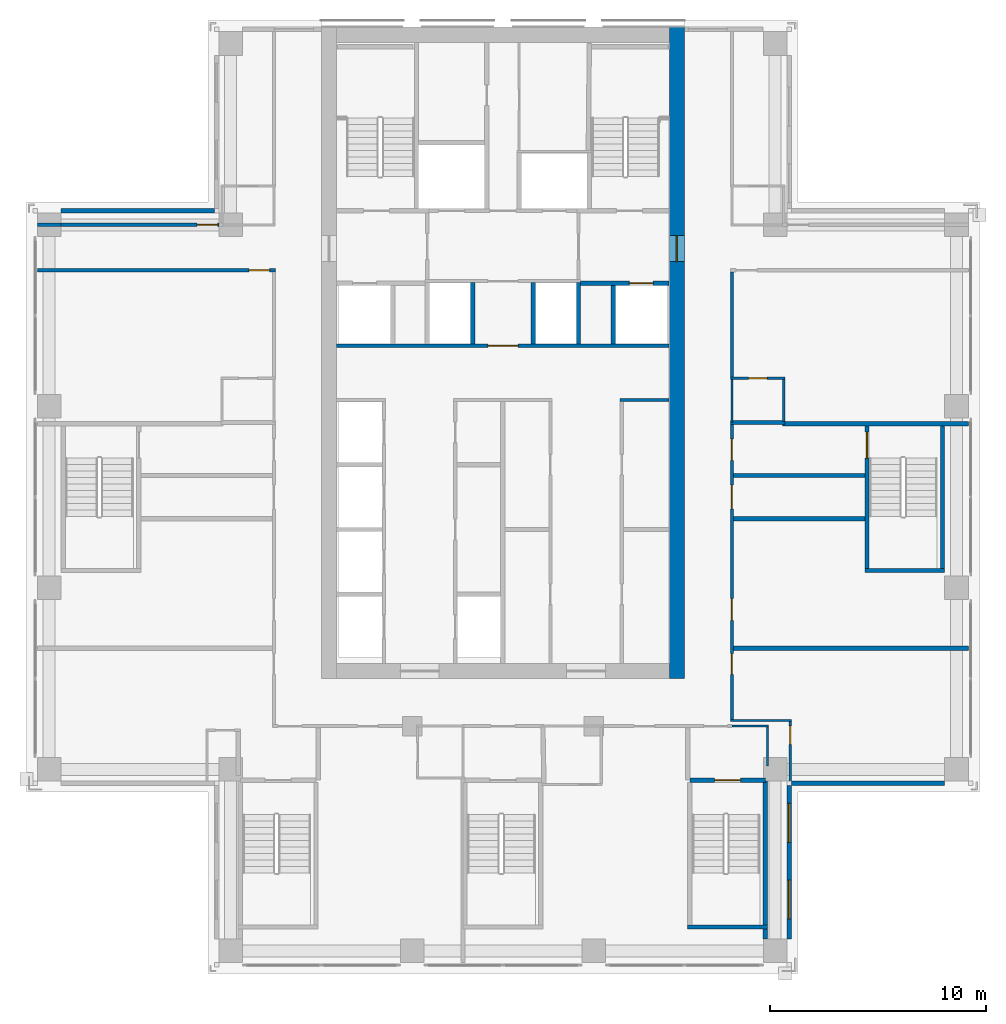
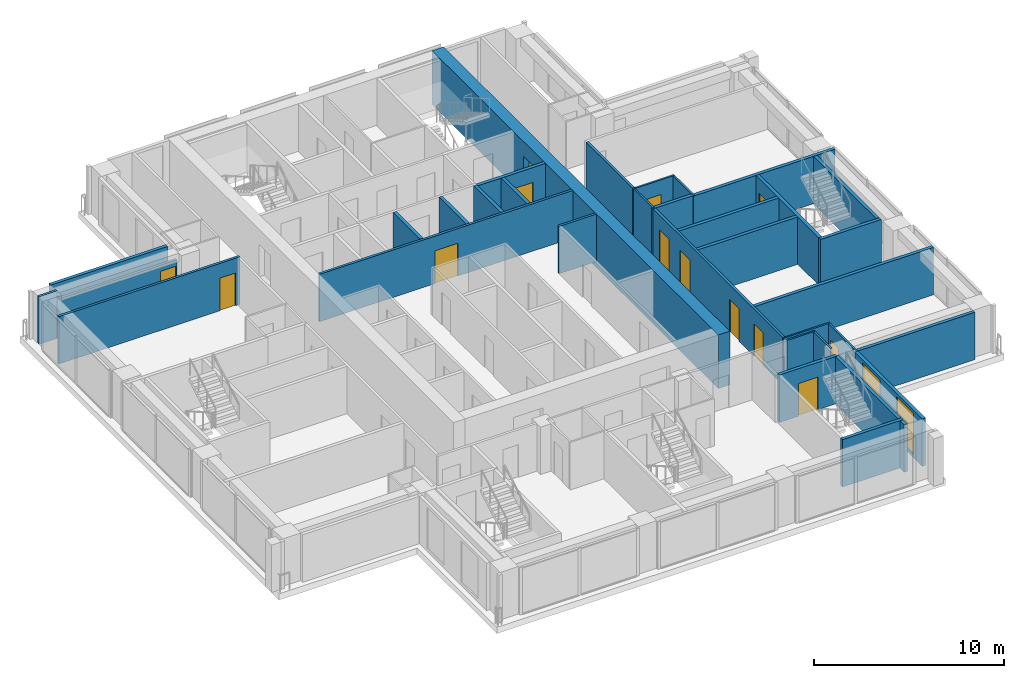
# One storey, part 11 of 16: 34 walls, 13 doors, 2 windows, 15 openings.
"""IFC4 building model written with IfcOpenShell, lengths in metres."""

from ifc_helpers import new_model, si_unit, direction, frame, frame_2d, origin, place, context, subcontext, project, spatial, rectangle, extrude, material, layer, layer_set, type_object, element, fill, save


model = new_model("IFC4")

# Units and contexts
model_context = context("Model", 3, precision=1e-05, world=origin(), true_north=direction((0.0, 1.0)))
body_context = subcontext(model_context, "Body", "Model", "MODEL_VIEW")
ifc_project = project(units=[si_unit("LENGTHUNIT", "METRE"), si_unit("AREAUNIT", "SQUARE_METRE"), si_unit("VOLUMEUNIT", "CUBIC_METRE"), si_unit("PLANEANGLEUNIT", "RADIAN"), si_unit("MASSUNIT", "GRAM", prefix="KILO")], contexts=[model_context])

# Site, building, storey
site_placement = place(None, origin())
site = spatial("IfcSite", under=ifc_project, at=site_placement, CompositionType="ELEMENT")
building_placement = place(site_placement, origin())
building = spatial("IfcBuilding", under=site, at=building_placement, Name="Vermilion Ogive Tower", CompositionType="ELEMENT")
storey_placement = place(building_placement, frame((0.0, 0.0, 136.550048828125)))
storey = spatial("IfcBuildingStorey", under=building, at=storey_placement, Name="L34", CompositionType="ELEMENT", Elevation=136.550048828125)

# Walls
ifc_material_1 = material(Name="Gypsum board partition on steel studs", Category="steel")
ifc_layer_1 = layer(ifc_material_1, 0.10009765625)
ifc_layer_set_1 = layer_set([ifc_layer_1], Name="Partition 100 bath")
wall_type_1 = type_object("IfcWallType", Name="Partition 100 bath", PredefinedType="PARTITIONING", material=ifc_layer_set_1)
wall_1_placement = place(storey_placement, frame((10.60009765625, -10.60009765625, 0.0), z_axis=(0.0, 0.0, 1.0), x_axis=(1.0, 0.0, 0.0)))
element("IfcWall", 1, at=wall_1_placement, inside=storey, type_object=wall_type_1, Name="L34-W-W013", PredefinedType="PARTITIONING", context=body_context, shape_type="SweptSolid", body=[
    extrude(rectangle(XDim=1.699951171875, YDim=0.10009765625, at=frame_2d((0.85009765625, 0.0))), origin(), (0.0, 0.0, 1.0), 3.050048828125),
])
wall_2_placement = place(storey_placement, frame((10.52490234375, -10.340087890625, 0.0), z_axis=(0.0, 0.0, 1.0), x_axis=(1.0, 0.0, 0.0)))
element("IfcWall", 2, at=wall_2_placement, inside=storey, type_object=wall_type_1, Name="L34-W-W014", PredefinedType="PARTITIONING", context=body_context, shape_type="SweptSolid", body=[
    extrude(rectangle(XDim=2.8251953125, YDim=0.10009765625, at=frame_2d((1.41259765625, 0.0))), origin(), (0.0, 0.0, 1.0), 3.050048828125),
])

# Wall, opening, door
wall_3_placement = place(storey_placement, frame((10.52490234375, 5.5, 0.0), z_axis=(0.0, 0.0, 1.0), x_axis=(1.0, 0.0, 0.0)))
wall_3 = element("IfcWall", 3, at=wall_3_placement, inside=storey, type_object=wall_type_1, Name="L34-W-W028", PredefinedType="PARTITIONING", context=body_context, shape_type="SweptSolid", body=[
    extrude(rectangle(XDim=2.525146484375, YDim=0.10009765625, at=frame_2d((1.2626953125, 0.0))), origin(), (0.0, 0.0, 1.0), 3.050048828125),
])
opening_1_placement = place(wall_3_placement, frame((0.85009765625, 0.0, 0.0)))
opening_1 = element("IfcOpeningElement", 4, at=opening_1_placement, cuts=wall_3, Name="Opening D3G1014", PredefinedType="OPENING", context=body_context, shape_type="SweptSolid", body=[
    extrude(rectangle(XDim=0.85009765625, YDim=2.10009765625, at=frame_2d((0.425048828125, 1.050048828125))), frame((0.0, 0.06005859375, 0.0), z_axis=(0.0, -1.0, 0.0), x_axis=(1.0, 0.0, 0.0)), (0.0, 0.0, 1.0), 0.1201171875),
])
ifc_material_2 = material(Name="Timber door leaf", Category="wood")
door_type_1 = type_object("IfcDoorType", Name="Bath door 850 x 2100 FD30", OperationType="SINGLE_SWING_LEFT", PredefinedType="DOOR", material=ifc_material_2)
door_1_placement = place(opening_1_placement, origin())
door_1 = element("IfcDoor", 5, at=door_1_placement, inside=storey, type_object=door_type_1, Name="L34-D-D014", OperationType="SINGLE_SWING_RIGHT", OverallHeight=2.10009765625, OverallWidth=0.85009765625, PredefinedType="DOOR", context=body_context, shape_type="SweptSolid", body=[
    extrude(rectangle(XDim=0.85009765625, YDim=2.10009765625, at=frame_2d((0.425048828125, 1.050048828125))), frame((0.0, 0.02490234375, 0.0), z_axis=(0.0, -1.0, 0.0), x_axis=(1.0, 0.0, 0.0)), (0.0, 0.0, 1.0), 0.050048828125),
])
fill(opening_1, door_1)

# Walls
wall_4_placement = place(storey_placement, frame((10.60009765625, 3.449951171875, 0.0), z_axis=(0.0, 0.0, 1.0), x_axis=(0.0, 1.0, 0.0)))
element("IfcWall", 6, at=wall_4_placement, inside=storey, type_object=wall_type_1, Name="L34-W-W059", PredefinedType="PARTITIONING", context=body_context, shape_type="SweptSolid", body=[
    extrude(rectangle(XDim=2.0, YDim=0.10009765625, at=frame_2d((1.0, 0.0))), origin(), (0.0, 0.0, 1.0), 3.050048828125),
])
wall_5_placement = place(storey_placement, frame((12.25, -12.43994140625, 0.0), z_axis=(0.0, 0.0, 1.0), x_axis=(0.0, 1.0, 0.0)))
element("IfcWall", 7, at=wall_5_placement, inside=storey, type_object=wall_type_1, Name="L34-W-W063", PredefinedType="PARTITIONING", context=body_context, shape_type="SweptSolid", body=[
    extrude(rectangle(XDim=1.7900390625, YDim=0.10009765625, at=frame_2d((0.89501953125, 0.0))), origin(), (0.0, 0.0, 1.0), 3.050048828125),
])
wall_6_placement = place(storey_placement, frame((13.0, 3.5, 0.0), z_axis=(0.0, 0.0, 1.0), x_axis=(0.0, 1.0, 0.0)))
element("IfcWall", 8, at=wall_6_placement, inside=storey, type_object=wall_type_1, Name="L34-W-W064", PredefinedType="PARTITIONING", context=body_context, shape_type="SweptSolid", body=[
    extrude(rectangle(XDim=1.949951171875, YDim=0.10009765625, at=frame_2d((0.97509765625, 0.0))), origin(), (0.0, 0.0, 1.0), 3.050048828125),
])

# Wall, opening, door
wall_7_placement = place(storey_placement, frame((13.300048828125, -13.35009765625, 0.0), z_axis=(0.0, 0.0, 1.0), x_axis=(0.0, 1.0, 0.0)))
wall_7 = element("IfcWall", 9, at=wall_7_placement, inside=storey, type_object=wall_type_1, Name="L34-W-W066", PredefinedType="PARTITIONING", context=body_context, shape_type="SweptSolid", body=[
    extrude(rectangle(XDim=2.960205078125, YDim=0.10009765625, at=frame_2d((1.47998046875, 0.0))), origin(), (0.0, 0.0, 1.0), 3.050048828125),
])
opening_2_placement = place(wall_7_placement, frame((1.91015625, 0.0, 0.0)))
opening_2 = element("IfcOpeningElement", 10, at=opening_2_placement, cuts=wall_7, Name="Opening D3G1012", PredefinedType="OPENING", context=body_context, shape_type="SweptSolid", body=[
    extrude(rectangle(XDim=0.85009765625, YDim=2.10009765625, at=frame_2d((0.425048828125, 1.050048828125))), frame((0.0, 0.06005859375, 0.0), z_axis=(0.0, -1.0, 0.0), x_axis=(1.0, 0.0, 0.0)), (0.0, 0.0, 1.0), 0.1201171875),
])
door_2_placement = place(opening_2_placement, origin())
door_2 = element("IfcDoor", 11, at=door_2_placement, inside=storey, type_object=door_type_1, Name="L34-D-D012", OperationType="SINGLE_SWING_LEFT", OverallHeight=2.10009765625, OverallWidth=0.85009765625, PredefinedType="DOOR", context=body_context, shape_type="SweptSolid", body=[
    extrude(rectangle(XDim=0.85009765625, YDim=2.10009765625, at=frame_2d((0.425048828125, 1.050048828125))), frame((0.0, 0.02490234375, 0.0), z_axis=(0.0, -1.0, 0.0), x_axis=(1.0, 0.0, 0.0)), (0.0, 0.0, 1.0), 0.050048828125),
])
fill(opening_2, door_2)

ifc_material_3 = material(Name="Gypsum board partition on steel studs", Category="steel")
ifc_layer_2 = layer(ifc_material_3, 0.14990234375)
ifc_layer_set_2 = layer_set([ifc_layer_2], Name="Partition 150 corridor")
wall_type_2 = type_object("IfcWallType", Name="Partition 150 corridor", PredefinedType="PARTITIONING", material=ifc_layer_set_2)
wall_8_placement = place(storey_placement, frame((-21.550048828125, 10.5, 0.0), z_axis=(0.0, 0.0, 1.0), x_axis=(1.0, 0.0, 0.0)))
wall_8 = element("IfcWall", 12, at=wall_8_placement, inside=storey, type_object=wall_type_2, Name="L34-W-W029", PredefinedType="PARTITIONING", context=body_context, shape_type="SweptSolid", body=[
    extrude(rectangle(XDim=11.025146484375, YDim=0.14990234375, at=frame_2d((5.5126953125, 0.0))), origin(), (0.0, 0.0, 1.0), 3.050048828125),
])
opening_3_placement = place(wall_8_placement, frame((9.800048828125, 0.0, 0.0)))
opening_3 = element("IfcOpeningElement", 13, at=opening_3_placement, cuts=wall_8, Name="Opening D3G1003", PredefinedType="OPENING", context=body_context, shape_type="SweptSolid", body=[
    extrude(rectangle(XDim=0.949951171875, YDim=2.10009765625, at=frame_2d((0.47509765625, 1.050048828125))), frame((0.0, 0.0849609375, 0.0), z_axis=(0.0, -1.0, 0.0), x_axis=(1.0, 0.0, 0.0)), (0.0, 0.0, 1.0), 0.169921875),
])
ifc_material_4 = material(Name="Timber door leaf", Category="wood")
door_type_2 = type_object("IfcDoorType", Name="Unit door 950 x 2100 FD30S", OperationType="SINGLE_SWING_LEFT", PredefinedType="DOOR", material=ifc_material_4)
door_3_placement = place(opening_3_placement, origin())
door_3 = element("IfcDoor", 14, at=door_3_placement, inside=storey, type_object=door_type_2, Name="L34-D-D003", OperationType="SINGLE_SWING_RIGHT", OverallHeight=2.10009765625, OverallWidth=0.949951171875, PredefinedType="DOOR", context=body_context, shape_type="SweptSolid", body=[
    extrude(rectangle(XDim=0.949951171875, YDim=2.10009765625, at=frame_2d((0.47509765625, 1.050048828125))), frame((0.0, 0.02490234375, 0.0), z_axis=(0.0, -1.0, 0.0), x_axis=(1.0, 0.0, 0.0)), (0.0, 0.0, 1.0), 0.050048828125),
])
fill(opening_3, door_3)

# Wall
wall_9_placement = place(storey_placement, frame((-21.550048828125, 12.60009765625, 0.0), z_axis=(0.0, 0.0, 1.0), x_axis=(1.0, 0.0, 0.0)))
element("IfcWall", 15, at=wall_9_placement, inside=storey, type_object=wall_type_2, Name="L34-W-W031", PredefinedType="PARTITIONING", context=body_context, shape_type="SweptSolid", body=[
    extrude(rectangle(XDim=1.10009765625, YDim=0.14990234375, at=frame_2d((0.550048828125, 0.0))), origin(), (0.0, 0.0, 1.0), 3.050048828125),
])

# Wall, openings, doors
wall_10_placement = place(storey_placement, frame((10.60009765625, -10.2900390625, 0.0), z_axis=(0.0, 0.0, 1.0), x_axis=(0.0, 1.0, 0.0)))
wall_10 = element("IfcWall", 16, at=wall_10_placement, inside=storey, type_object=wall_type_2, Name="L34-W-W058", PredefinedType="PARTITIONING", context=body_context, shape_type="SweptSolid", body=[
    extrude(rectangle(XDim=13.64013671875, YDim=0.14990234375, at=frame_2d((6.820068359375, 0.0))), origin(), (0.0, 0.0, 1.0), 3.050048828125),
])
opening_4_placement = place(wall_10_placement, frame((2.090087890625, 0.0, 0.0)))
opening_4 = element("IfcOpeningElement", 17, at=opening_4_placement, cuts=wall_10, Name="Opening D3G1011", PredefinedType="OPENING", context=body_context, shape_type="SweptSolid", body=[
    extrude(rectangle(XDim=0.949951171875, YDim=2.10009765625, at=frame_2d((0.47509765625, 1.050048828125))), frame((0.0, 0.0849609375, 0.0), z_axis=(0.0, -1.0, 0.0), x_axis=(1.0, 0.0, 0.0)), (0.0, 0.0, 1.0), 0.169921875),
])
opening_5_placement = place(wall_10_placement, frame((9.739990234375, 0.0, 0.0)))
opening_5 = element("IfcOpeningElement", 18, at=opening_5_placement, cuts=wall_10, Name="Opening D3G1023", PredefinedType="OPENING", context=body_context, shape_type="SweptSolid", body=[
    extrude(rectangle(XDim=1.10009765625, YDim=2.10009765625, at=frame_2d((0.550048828125, 1.050048828125))), frame((0.0, 0.0849609375, 0.0), z_axis=(0.0, -1.0, 0.0), x_axis=(1.0, 0.0, 0.0)), (0.0, 0.0, 1.0), 0.169921875),
])
opening_6_placement = place(wall_10_placement, frame((4.590087890625, 0.0, 0.0)))
opening_6 = element("IfcOpeningElement", 19, at=opening_6_placement, cuts=wall_10, Name="Opening D3G1028", PredefinedType="OPENING", context=body_context, shape_type="SweptSolid", body=[
    extrude(rectangle(XDim=1.0, YDim=2.10009765625, at=frame_2d((0.5, 1.050048828125))), frame((0.0, 0.0849609375, 0.0), z_axis=(0.0, -1.0, 0.0), x_axis=(1.0, 0.0, 0.0)), (0.0, 0.0, 1.0), 0.169921875),
])
opening_7_placement = place(wall_10_placement, frame((11.989990234375, 0.0, 0.0)))
opening_7 = element("IfcOpeningElement", 20, at=opening_7_placement, cuts=wall_10, Name="Opening D3G1030", PredefinedType="OPENING", context=body_context, shape_type="SweptSolid", body=[
    extrude(rectangle(XDim=1.0, YDim=2.10009765625, at=frame_2d((0.5, 1.050048828125))), frame((0.0, 0.0849609375, 0.0), z_axis=(0.0, -1.0, 0.0), x_axis=(1.0, 0.0, 0.0)), (0.0, 0.0, 1.0), 0.169921875),
])
ifc_material_5 = material(Name="Timber door leaf", Category="wood")
door_type_3 = type_object("IfcDoorType", Name="Stair door 1100 x 2100 FD60S", OperationType="SINGLE_SWING_LEFT", PredefinedType="DOOR", material=ifc_material_5)
door_4_placement = place(opening_5_placement, origin())
door_4 = element("IfcDoor", 21, at=door_4_placement, inside=storey, type_object=door_type_3, Name="L34-D-D023", OperationType="SINGLE_SWING_LEFT", OverallHeight=2.10009765625, OverallWidth=1.10009765625, PredefinedType="DOOR", context=body_context, shape_type="SweptSolid", body=[
    extrude(rectangle(XDim=1.10009765625, YDim=2.10009765625, at=frame_2d((0.550048828125, 1.050048828125))), frame((0.0, 0.02490234375, 0.0), z_axis=(0.0, -1.0, 0.0), x_axis=(1.0, 0.0, 0.0)), (0.0, 0.0, 1.0), 0.050048828125),
])
fill(opening_5, door_4)
ifc_material_6 = material(Name="Timber door leaf", Category="wood")
door_type_4 = type_object("IfcDoorType", Name="Unit door 1000 x 2100 FD30S", OperationType="SINGLE_SWING_LEFT", PredefinedType="DOOR", material=ifc_material_6)
door_5_placement = place(opening_6_placement, origin())
door_5 = element("IfcDoor", 22, at=door_5_placement, inside=storey, type_object=door_type_4, Name="L34-D-D028", OperationType="SINGLE_SWING_RIGHT", OverallHeight=2.10009765625, OverallWidth=1.0, PredefinedType="DOOR", context=body_context, shape_type="SweptSolid", body=[
    extrude(rectangle(XDim=1.0, YDim=2.10009765625, at=frame_2d((0.5, 1.050048828125))), frame((0.0, 0.02490234375, 0.0), z_axis=(0.0, -1.0, 0.0), x_axis=(1.0, 0.0, 0.0)), (0.0, 0.0, 1.0), 0.050048828125),
])
fill(opening_6, door_5)
door_6_placement = place(opening_7_placement, origin())
door_6 = element("IfcDoor", 23, at=door_6_placement, inside=storey, type_object=door_type_4, Name="L34-D-D030", OperationType="SINGLE_SWING_LEFT", OverallHeight=2.10009765625, OverallWidth=1.0, PredefinedType="DOOR", context=body_context, shape_type="SweptSolid", body=[
    extrude(rectangle(XDim=1.0, YDim=2.10009765625, at=frame_2d((0.5, 1.050048828125))), frame((0.0, 0.02490234375, 0.0), z_axis=(0.0, -1.0, 0.0), x_axis=(1.0, 0.0, 0.0)), (0.0, 0.0, 1.0), 0.050048828125),
])
fill(opening_7, door_6)
door_7_placement = place(opening_4_placement, origin())
door_7 = element("IfcDoor", 24, at=door_7_placement, inside=storey, type_object=door_type_2, Name="L34-D-D011", OperationType="SINGLE_SWING_LEFT", OverallHeight=2.10009765625, OverallWidth=0.949951171875, PredefinedType="DOOR", context=body_context, shape_type="SweptSolid", body=[
    extrude(rectangle(XDim=0.949951171875, YDim=2.10009765625, at=frame_2d((0.47509765625, 1.050048828125))), frame((0.0, 0.02490234375, 0.0), z_axis=(0.0, -1.0, 0.0), x_axis=(1.0, 0.0, 0.0)), (0.0, 0.0, 1.0), 0.050048828125),
])
fill(opening_4, door_7)

# Walls
wall_11_placement = place(storey_placement, frame((10.60009765625, 5.550048828125, 0.0), z_axis=(0.0, 0.0, 1.0), x_axis=(0.0, 1.0, 0.0)))
element("IfcWall", 25, at=wall_11_placement, inside=storey, type_object=wall_type_2, Name="L34-W-W060", PredefinedType="PARTITIONING", context=body_context, shape_type="SweptSolid", body=[
    extrude(rectangle(XDim=4.875, YDim=0.14990234375, at=frame_2d((2.4375, 0.0))), origin(), (0.0, 0.0, 1.0), 3.050048828125),
])
wall_12_placement = place(storey_placement, frame((5.425048828125, 4.5, 0.0), z_axis=(0.0, 0.0, 1.0), x_axis=(1.0, 0.0, 0.0)))
element("IfcWall", 26, at=wall_12_placement, inside=storey, type_object=wall_type_2, Name="L34-CK-W-W010", PredefinedType="PARTITIONING", context=body_context, shape_type="SweptSolid", body=[
    extrude(rectangle(XDim=2.27392578125, YDim=0.14990234375, at=frame_2d((1.136962890625, 0.0))), origin(), (0.0, 0.0, 1.0), 3.050048828125),
])

# Wall, opening, door
wall_13_placement = place(storey_placement, frame((-7.698974609375, 7.0, 0.0), z_axis=(0.0, 0.0, 1.0), x_axis=(1.0, 0.0, 0.0)))
wall_13 = element("IfcWall", 27, at=wall_13_placement, inside=storey, type_object=wall_type_2, Name="L34-CK-W-W011", PredefinedType="PARTITIONING", context=body_context, shape_type="SweptSolid", body=[
    extrude(rectangle(XDim=15.39794921875, YDim=0.14990234375, at=frame_2d((7.698974609375, 0.0))), origin(), (0.0, 0.0, 1.0), 3.050048828125),
])
opening_8_placement = place(wall_13_placement, frame((6.9990234375, 0.0, 0.0)))
opening_8 = element("IfcOpeningElement", 28, at=opening_8_placement, cuts=wall_13, Name="Opening DAA278", PredefinedType="OPENING", context=body_context, shape_type="SweptSolid", body=[
    extrude(rectangle(XDim=1.39990234375, YDim=2.10009765625, at=frame_2d((0.699951171875, 1.050048828125))), frame((0.0, 0.0849609375, 0.0), z_axis=(0.0, -1.0, 0.0), x_axis=(1.0, 0.0, 0.0)), (0.0, 0.0, 1.0), 0.169921875),
])
ifc_material_7 = material(Name="Timber door leaf", Category="wood")
door_type_5 = type_object("IfcDoorType", Name="Lobby door 1400 x 2100 FD60S", OperationType="SINGLE_SWING_LEFT", PredefinedType="DOOR", material=ifc_material_7)
door_8_placement = place(opening_8_placement, origin())
door_8 = element("IfcDoor", 29, at=door_8_placement, inside=storey, type_object=door_type_5, Name="L34-CK-D-D016", OperationType="SINGLE_SWING_RIGHT", OverallHeight=2.10009765625, OverallWidth=1.39990234375, PredefinedType="DOOR", context=body_context, shape_type="SweptSolid", body=[
    extrude(rectangle(XDim=1.39990234375, YDim=2.10009765625, at=frame_2d((0.699951171875, 1.050048828125))), frame((0.0, 0.02490234375, 0.0), z_axis=(0.0, -1.0, 0.0), x_axis=(1.0, 0.0, 0.0)), (0.0, 0.0, 1.0), 0.050048828125),
])
fill(opening_8, door_8)

wall_14_placement = place(storey_placement, frame((-20.449951171875, 12.60009765625, 0.0), z_axis=(0.0, 0.0, 1.0), x_axis=(1.0, 0.0, 0.0)))
wall_14 = element("IfcWall", 30, at=wall_14_placement, inside=storey, type_object=wall_type_2, Name="L34-W-W031-h1", PredefinedType="PARTITIONING", context=body_context, shape_type="SweptSolid", body=[
    extrude(rectangle(XDim=7.300048828125, YDim=0.14990234375, at=frame_2d((3.64990234375, 0.0))), origin(), (0.0, 0.0, 1.0), 2.5),
])
opening_9_placement = place(wall_14_placement, frame((6.300048828125, 0.0, 0.0)))
opening_9 = element("IfcOpeningElement", 31, at=opening_9_placement, cuts=wall_14, Name="Opening D3G1005", PredefinedType="OPENING", context=body_context, shape_type="SweptSolid", body=[
    extrude(rectangle(XDim=0.949951171875, YDim=2.10009765625, at=frame_2d((0.47509765625, 1.050048828125))), frame((0.0, 0.0849609375, 0.0), z_axis=(0.0, -1.0, 0.0), x_axis=(1.0, 0.0, 0.0)), (0.0, 0.0, 1.0), 0.169921875),
])
door_9_placement = place(opening_9_placement, origin())
door_9 = element("IfcDoor", 32, at=door_9_placement, inside=storey, type_object=door_type_2, Name="L34-D-D005", OperationType="SINGLE_SWING_LEFT", OverallHeight=2.10009765625, OverallWidth=0.949951171875, PredefinedType="DOOR", context=body_context, shape_type="SweptSolid", body=[
    extrude(rectangle(XDim=0.949951171875, YDim=2.10009765625, at=frame_2d((0.47509765625, 1.050048828125))), frame((0.0, 0.02490234375, 0.0), z_axis=(0.0, -1.0, 0.0), x_axis=(1.0, 0.0, 0.0)), (0.0, 0.0, 1.0), 0.050048828125),
])
fill(opening_9, door_9)

# Walls
ifc_material_8 = material(Name="Gypsum board partition on steel studs", Category="steel")
ifc_layer_3 = layer(ifc_material_8, 0.199951171875)
ifc_layer_set_3 = layer_set([ifc_layer_3], Name="Partition 200 party")
wall_type_3 = type_object("IfcWallType", Name="Partition 200 party", PredefinedType="PARTITIONING", material=ifc_layer_set_3)
wall_15_placement = place(storey_placement, frame((10.675048828125, -7.0, 0.0), z_axis=(0.0, 0.0, 1.0), x_axis=(1.0, 0.0, 0.0)))
element("IfcWall", 33, at=wall_15_placement, inside=storey, type_object=wall_type_3, Name="L34-W-W016", PredefinedType="PARTITIONING", context=body_context, shape_type="SweptSolid", body=[
    extrude(rectangle(XDim=10.875, YDim=0.199951171875, at=frame_2d((5.4375, 0.0))), origin(), (0.0, 0.0, 1.0), 3.050048828125),
])
wall_16_placement = place(storey_placement, frame((10.677001953125, -1.0, 0.0), z_axis=(0.0, 0.0, 1.0), x_axis=(1.0, 0.0, 0.0)))
element("IfcWall", 34, at=wall_16_placement, inside=storey, type_object=wall_type_3, Name="L34-W-W020", PredefinedType="PARTITIONING", context=body_context, shape_type="SweptSolid", body=[
    extrude(rectangle(XDim=6.071044921875, YDim=0.199951171875, at=frame_2d((3.03564453125, 0.0))), origin(), (0.0, 0.0, 1.0), 3.050048828125),
])
wall_17_placement = place(storey_placement, frame((10.675048828125, 1.0, 0.0), z_axis=(0.0, 0.0, 1.0), x_axis=(1.0, 0.0, 0.0)))
element("IfcWall", 35, at=wall_17_placement, inside=storey, type_object=wall_type_3, Name="L34-W-W022", PredefinedType="PARTITIONING", context=body_context, shape_type="SweptSolid", body=[
    extrude(rectangle(XDim=6.074951171875, YDim=0.199951171875, at=frame_2d((3.03759765625, 0.0))), origin(), (0.0, 0.0, 1.0), 3.050048828125),
])

# Wall, opening, door
wall_18_placement = place(storey_placement, frame((3.60009765625, 9.89990234375, 0.0), z_axis=(0.0, 0.0, 1.0), x_axis=(1.0, 0.0, 0.0)))
wall_18 = element("IfcWall", 36, at=wall_18_placement, inside=storey, type_object=wall_type_3, Name="L34-CK-W-W013", PredefinedType="PARTITIONING", context=body_context, shape_type="SweptSolid", body=[
    extrude(rectangle(XDim=4.098876953125, YDim=0.199951171875, at=frame_2d((2.04931640625, 0.0))), origin(), (0.0, 0.0, 1.0), 3.050048828125),
])
opening_10_placement = place(wall_18_placement, frame((2.25, 0.0, 0.0)))
opening_10 = element("IfcOpeningElement", 37, at=opening_10_placement, cuts=wall_18, Name="Opening DAA297", PredefinedType="OPENING", context=body_context, shape_type="SweptSolid", body=[
    extrude(rectangle(XDim=1.10009765625, YDim=2.10009765625, at=frame_2d((0.550048828125, 1.050048828125))), frame((0.0, 0.10986328125, 0.0), z_axis=(0.0, -1.0, 0.0), x_axis=(1.0, 0.0, 0.0)), (0.0, 0.0, 1.0), 0.219970703125),
])
ifc_material_9 = material(Name="Stainless steel", Category="steel")
door_type_6 = type_object("IfcDoorType", Name="Lift landing door 1100 x 2100", OperationType="SLIDING_TO_LEFT", PredefinedType="DOOR", material=ifc_material_9)
door_10_placement = place(opening_10_placement, origin())
door_10 = element("IfcDoor", 38, at=door_10_placement, inside=storey, type_object=door_type_6, Name="L34-CK-D-D015", OperationType="SLIDING_TO_LEFT", OverallHeight=2.10009765625, OverallWidth=1.10009765625, PredefinedType="DOOR", context=body_context, shape_type="SweptSolid", body=[
    extrude(rectangle(XDim=1.10009765625, YDim=2.10009765625, at=frame_2d((0.550048828125, 1.050048828125))), frame((0.0, 0.02490234375, 0.0), z_axis=(0.0, -1.0, 0.0), x_axis=(1.0, 0.0, 0.0)), (0.0, 0.0, 1.0), 0.050048828125),
])
fill(opening_10, door_10)

# Walls
for number, where, z_axis, x_axis, name in (
    (39, (-1.39990234375, 7.074951171875, 0.0), (0.0, 0.0, 1.0), (0.0, 1.0, 0.0), "L34-CK-W-W026"),
    (40, (1.39990234375, 7.074951171875, 0.0), (0.0, 0.0, 1.0), (0.0, 1.0, 0.0), "L34-CK-W-W031"),
    (41, (3.5, 7.074951171875, 0.0), (0.0, 0.0, 1.0), (0.0, 1.0, 0.0), "L34-CK-W-W033"),
):
    element("IfcWall", number, at=place(storey_placement, frame(where, z_axis=z_axis, x_axis=x_axis)), inside=storey, type_object=wall_type_3, Name=name, PredefinedType="PARTITIONING", context=body_context, shape_type="SweptSolid", body=[
        extrude(rectangle(XDim=2.85009765625, YDim=0.199951171875, at=frame_2d((1.425048828125, 0.0))), origin(), (0.0, 0.0, 1.0), 3.050048828125),
    ])
wall_19_placement = place(storey_placement, frame((5.10009765625, 7.074951171875, 0.0), z_axis=(0.0, 0.0, 1.0), x_axis=(0.0, 1.0, 0.0)))
element("IfcWall", 42, at=wall_19_placement, inside=storey, type_object=wall_type_3, Name="L34-CK-W-W037", PredefinedType="PARTITIONING", context=body_context, shape_type="SweptSolid", body=[
    extrude(rectangle(XDim=2.72509765625, YDim=0.199951171875, at=frame_2d((1.362548828125, 0.0))), origin(), (0.0, 0.0, 1.0), 3.050048828125),
])

# Wall, opening, door
ifc_material_10 = material(Name="Concrete B60", Category="concrete")
ifc_layer_4 = layer(ifc_material_10, 0.199951171875)
ifc_layer_set_4 = layer_set([ifc_layer_4], Name="Stair shaft wall 200 Concrete B60")
wall_type_4 = type_object("IfcWallType", Name="Stair shaft wall 200 Concrete B60", PredefinedType="SOLIDWALL", material=ifc_layer_set_4)
wall_20_placement = place(storey_placement, frame((8.050048828125, -8.39990234375, -0.400146484375), z_axis=(0.0, 0.0, 1.0), x_axis=(0.0, 1.0, 0.0)))
wall_20 = element("IfcWall", 43, at=wall_20_placement, inside=storey, type_object=wall_type_4, Name="L34-CORE-E", PredefinedType="SOLIDWALL", context=body_context, shape_type="SweptSolid", body=[
    extrude(rectangle(XDim=30.14990234375, YDim=0.699951171875, at=frame_2d((15.074951171875, 0.0))), origin(), (0.0, 0.0, 1.0), 3.4501953125),
])
opening_11_placement = place(wall_20_placement, frame((19.300048828125, 0.0, 0.39990234375)))
opening_11 = element("IfcOpeningElement", 44, at=opening_11_placement, cuts=wall_20, Name="Opening DAL013", PredefinedType="OPENING", context=body_context, shape_type="SweptSolid", body=[
    extrude(rectangle(XDim=1.199951171875, YDim=2.10009765625, at=frame_2d((0.60009765625, 1.050048828125))), frame((0.0, 0.35986328125, 0.0), z_axis=(0.0, -1.0, 0.0), x_axis=(1.0, 0.0, 0.0)), (0.0, 0.0, 1.0), 0.719970703125),
])
ifc_material_11 = material(Name="Timber door leaf", Category="wood")
door_type_7 = type_object("IfcDoorType", Name="Link door 1200 x 2100 FD60S", OperationType="SINGLE_SWING_LEFT", PredefinedType="DOOR", material=ifc_material_11)
door_11_placement = place(opening_11_placement, origin())
door_11 = element("IfcDoor", 45, at=door_11_placement, inside=storey, type_object=door_type_7, Name="L34-CK-XD4", OperationType="SINGLE_SWING_LEFT", OverallHeight=2.10009765625, OverallWidth=1.199951171875, PredefinedType="DOOR", context=body_context, shape_type="SweptSolid", body=[
    extrude(rectangle(XDim=1.199951171875, YDim=2.10009765625, at=frame_2d((0.60009765625, 1.050048828125))), frame((0.0, 0.02490234375, 0.0), z_axis=(0.0, -1.0, 0.0), x_axis=(1.0, 0.0, 0.0)), (0.0, 0.0, 1.0), 0.050048828125),
])
fill(opening_11, door_11)

wall_21_placement = place(storey_placement, frame((8.64990234375, -13.10009765625, 0.0), z_axis=(0.0, 0.0, 1.0), x_axis=(1.0, 0.0, 0.0)))
wall_21 = element("IfcWall", 46, at=wall_21_placement, inside=storey, type_object=wall_type_4, Name="L34-W-W005", PredefinedType="SOLIDWALL", context=body_context, shape_type="SweptSolid", body=[
    extrude(rectangle(XDim=3.5, YDim=0.199951171875, at=frame_2d((1.75, 0.0))), origin(), (0.0, 0.0, 1.0), 3.050048828125),
])
opening_12_placement = place(wall_21_placement, frame((1.150146484375, 0.0, 0.0)))
opening_12 = element("IfcOpeningElement", 47, at=opening_12_placement, cuts=wall_21, Name="Opening D3G1022", PredefinedType="OPENING", context=body_context, shape_type="SweptSolid", body=[
    extrude(rectangle(XDim=1.199951171875, YDim=2.10009765625, at=frame_2d((0.60009765625, 1.050048828125))), frame((0.0, 0.10986328125, 0.0), z_axis=(0.0, -1.0, 0.0), x_axis=(1.0, 0.0, 0.0)), (0.0, 0.0, 1.0), 0.219970703125),
])
ifc_material_12 = material(Name="Timber door leaf", Category="wood")
door_type_8 = type_object("IfcDoorType", Name="Stair door 1200 x 2100 FD60S", OperationType="SINGLE_SWING_LEFT", PredefinedType="DOOR", material=ifc_material_12)
door_12_placement = place(opening_12_placement, origin())
door_12 = element("IfcDoor", 48, at=door_12_placement, inside=storey, type_object=door_type_8, Name="L34-D-D022", OperationType="SINGLE_SWING_RIGHT", OverallHeight=2.10009765625, OverallWidth=1.199951171875, PredefinedType="DOOR", context=body_context, shape_type="SweptSolid", body=[
    extrude(rectangle(XDim=1.199951171875, YDim=2.10009765625, at=frame_2d((0.60009765625, 1.050048828125))), frame((0.0, 0.02490234375, 0.0), z_axis=(0.0, -1.0, 0.0), x_axis=(1.0, 0.0, 0.0)), (0.0, 0.0, 1.0), 0.050048828125),
])
fill(opening_12, door_12)

# Walls
wall_22_placement = place(storey_placement, frame((16.751953125, -3.39990234375, 0.0), z_axis=(0.0, 0.0, 1.0), x_axis=(1.0, 0.0, 0.0)))
element("IfcWall", 49, at=wall_22_placement, inside=storey, type_object=wall_type_4, Name="L34-W-W018", PredefinedType="SOLIDWALL", context=body_context, shape_type="SweptSolid", body=[
    extrude(rectangle(XDim=3.696044921875, YDim=0.199951171875, at=frame_2d((1.84814453125, 0.0))), origin(), (0.0, 0.0, 1.0), 3.050048828125),
])
wall_23_placement = place(storey_placement, frame((10.52490234375, 3.449951171875, 0.0), z_axis=(0.0, 0.0, 1.0), x_axis=(1.0, 0.0, 0.0)))
element("IfcWall", 50, at=wall_23_placement, inside=storey, type_object=wall_type_4, Name="L34-W-W025", PredefinedType="SOLIDWALL", context=body_context, shape_type="SweptSolid", body=[
    extrude(rectangle(XDim=2.525146484375, YDim=0.199951171875, at=frame_2d((1.2626953125, 0.0))), origin(), (0.0, 0.0, 1.0), 3.050048828125),
])
wall_24_placement = place(storey_placement, frame((12.949951171875, 3.39990234375, 0.0), z_axis=(0.0, 0.0, 1.0), x_axis=(1.0, 0.0, 0.0)))
element("IfcWall", 51, at=wall_24_placement, inside=storey, type_object=wall_type_4, Name="L34-W-W026", PredefinedType="SOLIDWALL", context=body_context, shape_type="SweptSolid", body=[
    extrude(rectangle(XDim=8.60009765625, YDim=0.199951171875, at=frame_2d((4.300048828125, 0.0))), origin(), (0.0, 0.0, 1.0), 3.050048828125),
])

# Wall, opening, door
wall_25_placement = place(storey_placement, frame((16.85009765625, -3.298095703125, 0.0), z_axis=(0.0, 0.0, 1.0), x_axis=(0.0, 1.0, 0.0)))
wall_25 = element("IfcWall", 52, at=wall_25_placement, inside=storey, type_object=wall_type_4, Name="L34-W-W067", PredefinedType="SOLIDWALL", context=body_context, shape_type="SweptSolid", body=[
    extrude(rectangle(XDim=6.59814453125, YDim=0.199951171875, at=frame_2d((3.299072265625, 0.0))), origin(), (0.0, 0.0, 1.0), 3.050048828125),
])
opening_13_placement = place(wall_25_placement, frame((5.10009765625, 0.0, 0.0)))
opening_13 = element("IfcOpeningElement", 53, at=opening_13_placement, cuts=wall_25, Name="Opening D3G1024", PredefinedType="OPENING", context=body_context, shape_type="SweptSolid", body=[
    extrude(rectangle(XDim=1.199951171875, YDim=2.10009765625, at=frame_2d((0.60009765625, 1.050048828125))), frame((0.0, 0.10986328125, 0.0), z_axis=(0.0, -1.0, 0.0), x_axis=(1.0, 0.0, 0.0)), (0.0, 0.0, 1.0), 0.219970703125),
])
door_13_placement = place(opening_13_placement, origin())
door_13 = element("IfcDoor", 54, at=door_13_placement, inside=storey, type_object=door_type_8, Name="L34-D-D024", OperationType="SINGLE_SWING_LEFT", OverallHeight=2.10009765625, OverallWidth=1.199951171875, PredefinedType="DOOR", context=body_context, shape_type="SweptSolid", body=[
    extrude(rectangle(XDim=1.199951171875, YDim=2.10009765625, at=frame_2d((0.60009765625, 1.050048828125))), frame((0.0, 0.02490234375, 0.0), z_axis=(0.0, -1.0, 0.0), x_axis=(1.0, 0.0, 0.0)), (0.0, 0.0, 1.0), 0.050048828125),
])
fill(opening_13, door_13)

# Walls
wall_26_placement = place(storey_placement, frame((20.35009765625, -3.298095703125, 0.0), z_axis=(0.0, 0.0, 1.0), x_axis=(0.0, 1.0, 0.0)))
element("IfcWall", 55, at=wall_26_placement, inside=storey, type_object=wall_type_4, Name="L34-W-W068", PredefinedType="SOLIDWALL", context=body_context, shape_type="SweptSolid", body=[
    extrude(rectangle(XDim=6.59619140625, YDim=0.199951171875, at=frame_2d((3.298095703125, 0.0))), origin(), (0.0, 0.0, 1.0), 3.050048828125),
])
wall_27_placement = place(storey_placement, frame((8.550048828125, -19.89990234375, 0.0), z_axis=(0.0, 0.0, 1.0), x_axis=(1.0, 0.0, 0.0)))
element("IfcWall", 56, at=wall_27_placement, inside=storey, type_object=wall_type_4, Name="L34-SW-ST5-S1", PredefinedType="SOLIDWALL", context=body_context, shape_type="SweptSolid", body=[
    extrude(rectangle(XDim=3.699951171875, YDim=0.199951171875, at=frame_2d((1.85009765625, 0.0))), origin(), (0.0, 0.0, 1.0), 3.050048828125),
])
wall_28_placement = place(storey_placement, frame((12.14990234375, -20.449951171875, 0.0), z_axis=(0.0, 0.0, 1.0), x_axis=(0.0, 1.0, 0.0)))
element("IfcWall", 57, at=wall_28_placement, inside=storey, type_object=wall_type_4, Name="L34-SW-ST5-E1", PredefinedType="SOLIDWALL", context=body_context, shape_type="SweptSolid", body=[
    extrude(rectangle(XDim=7.300048828125, YDim=0.199951171875, at=frame_2d((3.64990234375, 0.0))), origin(), (0.0, 0.0, 1.0), 3.050048828125),
])

# Wall, openings, windows
ifc_material_13 = material(Name="Aluminium window wall framing", Category="aluminium")
ifc_layer_5 = layer(ifc_material_13, 0.199951171875)
ifc_layer_set_5 = layer_set([ifc_layer_5], Name="Window wall")
wall_type_5 = type_object("IfcWallType", Name="Window wall", PredefinedType="STANDARD", material=ifc_layer_set_5)
wall_29_placement = place(storey_placement, frame((13.25, -20.449951171875, 0.0), z_axis=(0.0, 0.0, 1.0), x_axis=(0.0, 1.0, 0.0)))
wall_29 = element("IfcWall", 58, at=wall_29_placement, inside=storey, type_object=wall_type_5, Name="Window wall X11", PredefinedType="STANDARD", context=body_context, shape_type="SweptSolid", body=[
    extrude(rectangle(XDim=7.099853515625, YDim=0.199951171875, at=frame_2d((3.5498046875, 0.0))), origin(), (0.0, 0.0, 1.0), 3.050048828125),
])
opening_14_placement = place(wall_29_placement, frame((0.925048828125, 0.0, 0.199951171875)))
opening_14 = element("IfcOpeningElement", 59, at=opening_14_placement, cuts=wall_29, Name="Opening W1-X195", PredefinedType="OPENING", context=body_context, shape_type="SweptSolid", body=[
    extrude(rectangle(XDim=1.800048828125, YDim=2.64990234375, at=frame_2d((0.89990234375, 1.324951171875))), frame((0.0, 0.10986328125, 0.0), z_axis=(0.0, -1.0, 0.0), x_axis=(1.0, 0.0, 0.0)), (0.0, 0.0, 1.0), 0.219970703125),
])
opening_15_placement = place(wall_29_placement, frame((4.47509765625, 0.0, 0.199951171875)))
opening_15 = element("IfcOpeningElement", 60, at=opening_15_placement, cuts=wall_29, Name="Opening W1-X196", PredefinedType="OPENING", context=body_context, shape_type="SweptSolid", body=[
    extrude(rectangle(XDim=1.800048828125, YDim=2.64990234375, at=frame_2d((0.89990234375, 1.324951171875))), frame((0.0, 0.10986328125, 0.0), z_axis=(0.0, -1.0, 0.0), x_axis=(1.0, 0.0, 0.0)), (0.0, 0.0, 1.0), 0.219970703125),
])
ifc_material_14 = material(Name="Aluminium framed double glazing", Category="aluminium")
window_type = type_object("IfcWindowType", Name="Guest window W1", PartitioningType="SINGLE_PANEL", PredefinedType="WINDOW", material=ifc_material_14)
window_1_placement = place(opening_14_placement, origin())
window_1 = element("IfcWindow", 61, at=window_1_placement, inside=storey, type_object=window_type, Name="Window X195", OverallHeight=2.64990234375, OverallWidth=1.800048828125, PartitioningType="SINGLE_PANEL", PredefinedType="WINDOW", context=body_context, shape_type="SweptSolid", body=[
    extrude(rectangle(XDim=1.800048828125, YDim=2.64990234375, at=frame_2d((0.89990234375, 1.324951171875))), frame((0.0, 0.030029296875, 0.0), z_axis=(0.0, -1.0, 0.0), x_axis=(1.0, 0.0, 0.0)), (0.0, 0.0, 1.0), 0.06005859375),
])
fill(opening_14, window_1)
window_2_placement = place(opening_15_placement, origin())
window_2 = element("IfcWindow", 62, at=window_2_placement, inside=storey, type_object=window_type, Name="Window X196", OverallHeight=2.64990234375, OverallWidth=1.800048828125, PartitioningType="SINGLE_PANEL", PredefinedType="WINDOW", context=body_context, shape_type="SweptSolid", body=[
    extrude(rectangle(XDim=1.800048828125, YDim=2.64990234375, at=frame_2d((0.89990234375, 1.324951171875))), frame((0.0, 0.030029296875, 0.0), z_axis=(0.0, -1.0, 0.0), x_axis=(1.0, 0.0, 0.0)), (0.0, 0.0, 1.0), 0.06005859375),
])
fill(opening_15, window_2)

# Walls
for number, where, z_axis, x_axis, name in (
    (63, (13.35009765625, -13.25, 0.0), (0.0, 0.0, 1.0), (1.0, 0.0, 0.0), "Window wall X21"),
    (64, (-13.35009765625, 13.25, 0.0), (0.0, 0.0, 1.0), (-1.0, 0.0, 0.0), "Window wall X61"),
):
    element("IfcWall", number, at=place(storey_placement, frame(where, z_axis=z_axis, x_axis=x_axis)), inside=storey, type_object=wall_type_5, Name=name, PredefinedType="STANDARD", context=body_context, shape_type="SweptSolid", body=[
        extrude(rectangle(XDim=7.099853515625, YDim=0.199951171875, at=frame_2d((3.5498046875, 0.0))), origin(), (0.0, 0.0, 1.0), 3.050048828125),
    ])

save(model, "model.ifc")
